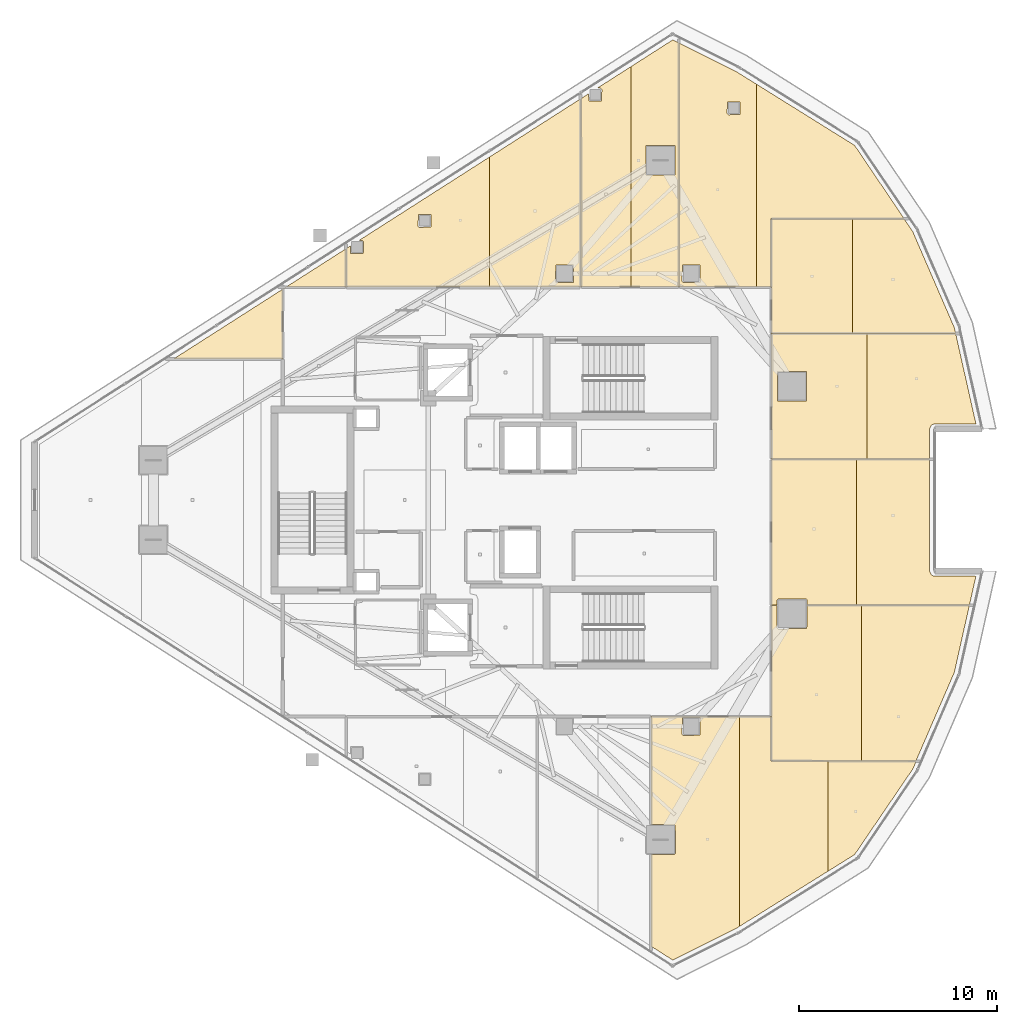
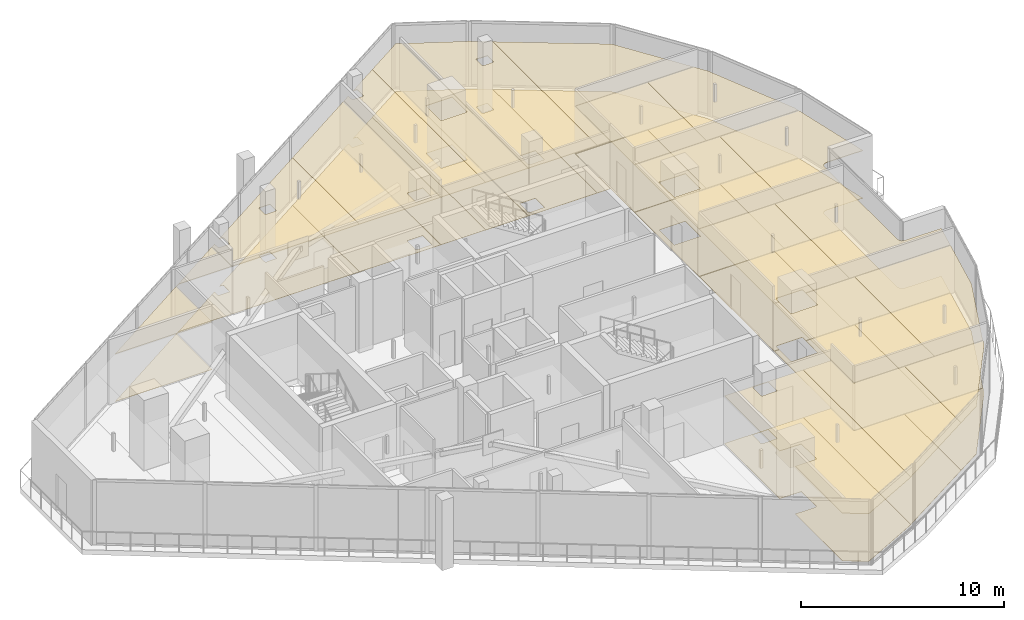
# One storey, part 30 of 30: 36 coverings.
"""IFC4 building model written with IfcOpenShell, lengths in metres."""

import ifcopenshell
import ifcopenshell.guid

model = None  # the IFC model being written
_history = None  # IfcOwnerHistory: only IFC2X3 demands one
_inside = {}  # id of a spatial element -> (the spatial element, [elements in it])
_under = {}  # id of a project, library or spatial element -> (it, [spatial elements below it])
_declared = {}  # id of a project -> (the project, [libraries it declares])
_typed = {}  # id of a type object -> (the type object, [elements of that type])
_made_of = {}  # id of a material, layer set ... -> (it, [elements and type objects made of it])


def new_model(schema):
    """Start an empty IFC model of exactly this schema.

    Asked for "IFC4X3", IfcOpenShell would pick the latest addendum, in which some entities
    have other attributes; the version numbers below select the first issue.
    IFC2X3 requires an IfcOwnerHistory on every rooted entity: one is made here for all.
    """
    global model, _history
    if schema == "IFC4X3":
        model = ifcopenshell.file(schema_version=(4, 3, 0, 0))
    else:
        model = ifcopenshell.file(schema=schema)
    _inside.clear()
    _under.clear()
    _declared.clear()
    _typed.clear()
    _made_of.clear()
    _history = None
    if model.schema == "IFC2X3":
        org = make("IfcOrganization", Name="unknown")
        user = make(
            "IfcPersonAndOrganization",
            ThePerson=make("IfcPerson", FamilyName="unknown"),
            TheOrganization=org,
        )
        app = make(
            "IfcApplication",
            ApplicationDeveloper=org,
            Version="unknown",
            ApplicationFullName="unknown",
            ApplicationIdentifier="unknown",
        )
        _history = make(
            "IfcOwnerHistory",
            OwningUser=user,
            OwningApplication=app,
            ChangeAction="ADDED",
            CreationDate=0,
        )
    return model


def make(cls, **values):
    """One entity of the class cls with the attributes given. An attribute that is None is left unset."""
    return model.create_entity(
        cls, **{name: value for name, value in values.items() if value is not None}
    )


def rooted(cls, **values):
    """An entity with a GlobalId (a new one), such as an element, a storey or a relation."""
    return make(cls, GlobalId=ifcopenshell.guid.new(), OwnerHistory=_history, **values)


def si_unit(unit_type, name, prefix=None):
    """IfcSIUnit, for example si_unit("LENGTHUNIT", "METRE", prefix="MILLI")."""
    return make("IfcSIUnit", UnitType=unit_type, Prefix=prefix, Name=name)


def assignment(units):
    """IfcUnitAssignment: the units of a project."""
    return None if units is None else make("IfcUnitAssignment", Units=units)


def point(xyz):
    """IfcCartesianPoint."""
    return None if xyz is None else make("IfcCartesianPoint", Coordinates=xyz)


def direction(xyz):
    """IfcDirection."""
    return None if xyz is None else make("IfcDirection", DirectionRatios=xyz)


def frame(location, z_axis=None, x_axis=None):
    """IfcAxis2Placement3D, a coordinate frame: its origin and axes. An axis left out is left unset."""
    return make(
        "IfcAxis2Placement3D",
        Location=point(location),
        Axis=direction(z_axis),
        RefDirection=direction(x_axis),
    )


def origin():
    """The frame at (0, 0, 0) with its axes left unset."""
    return frame((0.0, 0.0, 0.0))


def place(relative_to, where):
    """IfcLocalPlacement: puts the frame where relative to a parent placement (None: the world)."""
    return make(
        "IfcLocalPlacement", PlacementRelTo=relative_to, RelativePlacement=where
    )


def context(
    kind, dimensions, precision=None, world=None, true_north=None, identifier=None
):
    """IfcGeometricRepresentationContext, for example the 3D "Model" context."""
    return make(
        "IfcGeometricRepresentationContext",
        ContextIdentifier=identifier,
        ContextType=kind,
        CoordinateSpaceDimension=dimensions,
        Precision=precision,
        WorldCoordinateSystem=world,
        TrueNorth=true_north,
    )


def subcontext(parent, identifier, kind, view, scale=None):
    """IfcGeometricRepresentationSubContext, for example "Body" below "Model"."""
    return make(
        "IfcGeometricRepresentationSubContext",
        ContextIdentifier=identifier,
        ContextType=kind,
        ParentContext=parent,
        TargetScale=scale,
        TargetView=view,
    )


def project(units=None, contexts=None):
    """IfcProject with its units and contexts."""
    return rooted(
        "IfcProject",
        Name="project",
        RepresentationContexts=contexts,
        UnitsInContext=assignment(units),
    )


def spatial(cls, under=None, at=None, **own):
    """A site, building, storey or space (cls), placed at a placement, below another one or the project."""
    s = rooted(cls, ObjectPlacement=at, **own)
    if under is not None:
        _under.setdefault(under.id(), (under, []))[1].append(s)
    return s


def polyline(points):
    """IfcPolyline through the points."""
    return make("IfcPolyline", Points=[point(p) for p in points])


def outline(outer, holes=None, kind="AREA"):
    """IfcArbitraryClosedProfileDef: a profile drawn as a closed curve; with holes, ...WithVoids."""
    if holes is None:
        return make("IfcArbitraryClosedProfileDef", ProfileType=kind, OuterCurve=outer)
    return make(
        "IfcArbitraryProfileDefWithVoids",
        ProfileType=kind,
        OuterCurve=outer,
        InnerCurves=holes,
    )


def extrude(swept, where, along, depth):
    """IfcExtrudedAreaSolid: the profile swept, set in the frame where, extruded along a direction by depth."""
    return make(
        "IfcExtrudedAreaSolid",
        SweptArea=swept,
        Position=where,
        ExtrudedDirection=direction(along),
        Depth=depth,
    )


def shape(context_of_items, identifier, shape_type, items):
    """IfcShapeRepresentation: the items that make up one representation, for example the "Body"."""
    return make(
        "IfcShapeRepresentation",
        ContextOfItems=context_of_items,
        RepresentationIdentifier=identifier,
        RepresentationType=shape_type,
        Items=items,
    )


def material(Name=None, Category=None):
    """IfcMaterial."""
    return make("IfcMaterial", Name=Name, Category=Category)


def layer(
    of_material, thickness, ventilated=None, Name=None, Category=None, Priority=None
):
    """IfcMaterialLayer: one layer of a wall or slab, of a material (None: an air gap)."""
    return make(
        "IfcMaterialLayer",
        Material=of_material,
        LayerThickness=thickness,
        IsVentilated=ventilated,
        Name=Name,
        Category=Category,
        Priority=Priority,
    )


def layer_set(layers, Name=None):
    """IfcMaterialLayerSet."""
    return make("IfcMaterialLayerSet", MaterialLayers=layers, LayerSetName=Name)


def made_of(thing, what):
    """Note that an element or type object is made of a material, layer set ...; save() writes the relation."""
    if what is not None:
        _made_of.setdefault(what.id(), (what, []))[1].append(thing)
    return thing


def type_object(cls, material=None, **own):
    """A type object (cls), such as IfcWallType, which elements share."""
    return made_of(rooted(cls, **own), material)


def element(
    cls,
    number,
    at=None,
    inside=None,
    cuts=None,
    type_object=None,
    material=None,
    context=None,
    identifier="Body",
    shape_type=None,
    held_by="IfcProductDefinitionShape",
    body=None,
    shapes=None,
    **own,
):
    """One element of the class cls, such as IfcWall. Its Tag is "e" and its number.

    at: its placement. inside: the storey or other place that contains it. cuts: it is an
    opening in that element (IfcRelVoidsElement). A single representation is given by context,
    identifier, shape_type and body (its items); several are given by shapes. held_by: the class
    of the entity that holds the representations. save() writes the other relations.
    """
    e = rooted(cls, Tag="e%d" % number, ObjectPlacement=at, **own)
    if body is not None:
        shapes = [shape(context, identifier, shape_type, body)]
    if shapes is not None:
        e.Representation = make(held_by, Representations=shapes)
    if inside is not None:
        _inside.setdefault(inside.id(), (inside, []))[1].append(e)
    if cuts is not None:
        rooted(
            "IfcRelVoidsElement", RelatingBuildingElement=cuts, RelatedOpeningElement=e
        )
    if type_object is not None:
        _typed.setdefault(type_object.id(), (type_object, []))[1].append(e)
    return made_of(e, material)


def aggregate(whole, parts):
    """IfcRelAggregates: a whole, such as a stair, and the parts it consists of."""
    return rooted("IfcRelAggregates", RelatingObject=whole, RelatedObjects=parts)


def save(model, path):
    """Write the relations noted so far, then the file.

    IfcRelAggregates (storeys below a building ...), IfcRelContainedInSpatialStructure (elements
    in a storey), IfcRelDefinesByType, IfcRelAssociatesMaterial and IfcRelDeclares: one each for
    every whole, place, type object, material and project.
    """
    for whole, parts in _under.values():
        aggregate(whole, parts)
    for where, things in _inside.values():
        rooted(
            "IfcRelContainedInSpatialStructure",
            RelatedElements=things,
            RelatingStructure=where,
        )
    for kind, things in _typed.values():
        rooted("IfcRelDefinesByType", RelatedObjects=things, RelatingType=kind)
    for what, things in _made_of.values():
        rooted("IfcRelAssociatesMaterial", RelatedObjects=things, RelatingMaterial=what)
    for by, libraries in _declared.values():
        rooted("IfcRelDeclares", RelatingContext=by, RelatedDefinitions=libraries)
    model.write(path)


model = new_model("IFC4")

# Units and contexts
model_context = context("Model", 3, precision=1e-05, world=origin(), true_north=direction((0.0, 1.0)))
body_context = subcontext(model_context, "Body", "Model", "MODEL_VIEW")
ifc_project = project(units=[si_unit("LENGTHUNIT", "METRE"), si_unit("AREAUNIT", "SQUARE_METRE"), si_unit("VOLUMEUNIT", "CUBIC_METRE"), si_unit("PLANEANGLEUNIT", "RADIAN"), si_unit("MASSUNIT", "GRAM", prefix="KILO")], contexts=[model_context])

# Site, building, storey
site_placement = place(None, origin())
site = spatial("IfcSite", under=ifc_project, at=site_placement, CompositionType="ELEMENT")
building_placement = place(site_placement, origin())
building = spatial("IfcBuilding", under=site, at=building_placement, Name="Qorvath Tower", CompositionType="ELEMENT")
storey_placement = place(building_placement, frame((0.0, 0.0, 289.199951171875)))
storey = spatial("IfcBuildingStorey", under=building, at=storey_placement, Name="L67", CompositionType="ELEMENT", Elevation=289.199951171875)

# Coverings
ifc_material_1 = material(Name="Acoustic mineral fibre ceiling tile", Category="gypsum")
ifc_layer_1 = layer(ifc_material_1, 0.030029296875)
ifc_layer_set_1 = layer_set([ifc_layer_1], Name="COV-CEIL")
covering_type_1 = type_object("IfcCoveringType", Name="COV-CEIL", PredefinedType="CEILING", material=ifc_layer_set_1)
covering_1_placement = place(storey_placement, frame((0.0, 0.0, 2.85009765625)))
element("IfcCovering", 1, at=covering_1_placement, inside=storey, type_object=covering_type_1, Name="L67 Suspended Acoustic Ceiling 013", PredefinedType="CEILING", context=body_context, shape_type="SweptSolid", body=[
    extrude(outline(polyline([(-27.404296875, 10.762939453125), (-27.404296875, 17.3447265625), (-34.00244140625, 13.12744140625), (-33.8291015625, 13.12744140625), (-33.769287109375, 13.0673828125), (-33.786865234375, 12.47509765625), (-34.421630859375, 12.47509765625), (-34.439208984375, 12.848388671875), (-34.64501953125, 12.716796875), (-34.64501953125, 10.762939453125), (-27.404296875, 10.762939453125)]), holes=[polyline([(-31.01220703125, 13.849365234375), (-30.99462890625, 14.441650390625), (-30.35986328125, 14.441650390625), (-30.35986328125, 13.806884765625), (-30.9521484375, 13.789306640625), (-31.01220703125, 13.849365234375)])]), origin(), (0.0, 0.0, 1.0), 0.030029296875),
])
covering_2_placement = place(storey_placement, frame((0.0, 0.0, 2.85009765625)))
element("IfcCovering", 2, at=covering_2_placement, inside=storey, type_object=covering_type_1, Name="L67 Suspended Acoustic Ceiling 014", PredefinedType="CEILING", context=body_context, shape_type="SweptSolid", body=[
    extrude(outline(polyline([(-22.791015625, 10.762939453125), (-22.794189453125, 20.291259765625), (-27.404296875, 17.3447265625), (-27.404296875, 10.762939453125), (-22.791015625, 10.762939453125)]), holes=[polyline([(-24.06005859375, 11.050048828125), (-24.04248046875, 11.892333984375), (-23.157470703125, 11.892333984375), (-23.157470703125, 11.007568359375), (-24.0, 10.989990234375), (-24.06005859375, 11.050048828125)])]), origin(), (0.0, 0.0, 1.0), 0.030029296875),
])
covering_3_placement = place(storey_placement, frame((0.0, 0.0, 2.85009765625)))
element("IfcCovering", 3, at=covering_3_placement, inside=storey, type_object=covering_type_1, Name="L67 Suspended Acoustic Ceiling 015", PredefinedType="CEILING", context=body_context, shape_type="SweptSolid", body=[
    extrude(outline(polyline([(-20.230712890625, 10.762939453125), (-20.230712890625, 21.929443359375), (-21.950927734375, 20.829833984375), (-21.7783203125, 20.829833984375), (-21.71826171875, 20.77001953125), (-21.73583984375, 20.177490234375), (-22.37060546875, 20.177490234375), (-22.38818359375, 20.550537109375), (-22.776123046875, 20.302490234375), (-22.77294921875, 10.762939453125), (-20.230712890625, 10.762939453125)])), origin(), (0.0, 0.0, 1.0), 0.030029296875),
])
covering_4_placement = place(storey_placement, frame((0.0, 0.0, 2.85009765625)))
element("IfcCovering", 4, at=covering_4_placement, inside=storey, type_object=covering_type_1, Name="L67 Suspended Acoustic Ceiling 016", PredefinedType="CEILING", context=body_context, shape_type="SweptSolid", body=[
    extrude(outline(polyline([(-17.822509765625, 23.11865234375), (-18.129638671875, 23.272216796875), (-20.230712890625, 21.929443359375), (-20.230712890625, 10.762939453125), (-17.822509765625, 10.762939453125), (-17.822509765625, 23.11865234375)]), holes=[polyline([(-19.492919921875, 16.43310546875), (-19.492919921875, 17.91796875), (-18.008056640625, 17.91796875), (-18.008056640625, 16.43310546875), (-19.492919921875, 16.43310546875)])]), origin(), (0.0, 0.0, 1.0), 0.030029296875),
])
covering_5_placement = place(storey_placement, frame((0.0, 0.0, 2.85009765625)))
element("IfcCovering", 5, at=covering_5_placement, inside=storey, type_object=covering_type_1, Name="L67 Suspended Acoustic Ceiling 017", PredefinedType="CEILING", context=body_context, shape_type="SweptSolid", body=[
    extrude(outline(polyline([(-13.897216796875, 10.762939453125), (-13.897216796875, 21.031982421875), (-14.903564453125, 21.6591796875), (-17.804443359375, 23.109619140625), (-17.804443359375, 10.762939453125), (-13.897216796875, 10.762939453125)]), holes=[polyline([(-15.381103515625, 19.543212890625), (-15.363525390625, 20.135498046875), (-14.728759765625, 20.135498046875), (-14.728759765625, 19.500732421875), (-15.321044921875, 19.483154296875), (-15.381103515625, 19.543212890625)]), polyline([(-17.659912109375, 11.050048828125), (-17.642333984375, 11.892333984375), (-16.757568359375, 11.892333984375), (-16.757568359375, 11.007568359375), (-17.60009765625, 10.989990234375), (-17.659912109375, 11.050048828125)])]), origin(), (0.0, 0.0, 1.0), 0.030029296875),
])
covering_6_placement = place(storey_placement, frame((0.0, 0.0, 2.85009765625)))
element("IfcCovering", 6, at=covering_6_placement, inside=storey, type_object=covering_type_1, Name="L67 Suspended Acoustic Ceiling 018", PredefinedType="CEILING", context=body_context, shape_type="SweptSolid", body=[
    extrude(outline(polyline([(-6.432861328125, 14.24072265625), (-8.930419921875, 17.93505859375), (-13.897216796875, 21.031982421875), (-13.897216796875, 10.762939453125), (-13.155029296875, 10.762939453125), (-13.14990234375, 14.22998046875), (-6.432861328125, 14.24072265625)])), origin(), (0.0, 0.0, 1.0), 0.030029296875),
])
covering_7_placement = place(storey_placement, frame((0.0, 0.0, 2.85009765625)))
element("IfcCovering", 7, at=covering_7_placement, inside=storey, type_object=covering_type_1, Name="L67 Suspended Acoustic Ceiling 023", PredefinedType="CEILING", context=body_context, shape_type="SweptSolid", body=[
    extrude(outline(polyline([(-14.7529296875, -21.5654296875), (-14.7529296875, -10.962890625), (-19.219482421875, -10.962890625), (-19.219482421875, -16.41552734375), (-18.008056640625, -16.43310546875), (-17.990478515625, -17.87548828125), (-18.050537109375, -17.935546875), (-19.219482421875, -17.935546875), (-19.219482421875, -22.57568359375), (-18.129638671875, -23.272216796875), (-14.903564453125, -21.6591796875), (-14.7529296875, -21.5654296875)]), holes=[polyline([(-17.659912109375, -11.85009765625), (-17.642333984375, -11.007568359375), (-16.757568359375, -11.007568359375), (-16.757568359375, -11.892333984375), (-17.60009765625, -11.909912109375), (-17.659912109375, -11.85009765625)])]), origin(), (0.0, 0.0, 1.0), 0.030029296875),
])
covering_8_placement = place(storey_placement, frame((0.0, 0.0, 2.85009765625)))
element("IfcCovering", 8, at=covering_8_placement, inside=storey, type_object=covering_type_1, Name="L67 Suspended Acoustic Ceiling 024", PredefinedType="CEILING", context=body_context, shape_type="SweptSolid", body=[
    extrude(outline(polyline([(-13.155029296875, -10.962890625), (-14.7529296875, -10.962890625), (-14.7529296875, -21.5654296875), (-10.28662109375, -18.781005859375), (-10.28662109375, -13.20703125), (-13.14990234375, -13.2021484375), (-13.155029296875, -10.962890625)])), origin(), (0.0, 0.0, 1.0), 0.030029296875),
])
covering_9_placement = place(storey_placement, frame((0.0, 0.0, 2.85009765625)))
element("IfcCovering", 9, at=covering_9_placement, inside=storey, type_object=covering_type_1, Name="L67 Suspended Acoustic Ceiling 025", PredefinedType="CEILING", context=body_context, shape_type="SweptSolid", body=[
    extrude(outline(polyline([(-10.28662109375, -13.20703125), (-10.28662109375, -18.781005859375), (-8.931884765625, -17.9365234375), (-5.974609375, -13.58544921875), (-5.820068359375, -13.214599609375), (-10.28662109375, -13.20703125)])), origin(), (0.0, 0.0, 1.0), 0.030029296875),
])
covering_10_placement = place(storey_placement, frame((0.0, 0.0, 2.85009765625)))
element("IfcCovering", 10, at=covering_10_placement, inside=storey, type_object=covering_type_1, Name="L67 Suspended Acoustic Ceiling 026", PredefinedType="CEILING", context=body_context, shape_type="SweptSolid", body=[
    extrude(outline(polyline([(-13.136962890625, -5.339111328125), (-13.136962890625, -13.18408203125), (-8.580078125, -13.19189453125), (-8.580078125, -5.339111328125), (-11.3369140625, -5.339111328125), (-11.3544921875, -6.500244140625), (-12.796875, -6.517822265625), (-12.856689453125, -6.4580078125), (-12.856689453125, -5.339111328125), (-13.136962890625, -5.339111328125)])), origin(), (0.0, 0.0, 1.0), 0.030029296875),
])
covering_11_placement = place(storey_placement, frame((0.0, 0.0, 2.85009765625)))
element("IfcCovering", 11, at=covering_11_placement, inside=storey, type_object=covering_type_1, Name="L67 Suspended Acoustic Ceiling 027", PredefinedType="CEILING", context=body_context, shape_type="SweptSolid", body=[
    extrude(outline(polyline([(-8.580078125, -5.339111328125), (-8.580078125, -13.19189453125), (-5.82763671875, -13.196533203125), (-3.890380859375, -8.725341796875), (-3.129638671875, -5.339111328125), (-8.580078125, -5.339111328125)])), origin(), (0.0, 0.0, 1.0), 0.030029296875),
])
covering_12_placement = place(storey_placement, frame((0.0, 0.0, 2.85009765625)))
element("IfcCovering", 12, at=covering_12_placement, inside=storey, type_object=covering_type_1, Name="L67 Suspended Acoustic Ceiling 028", PredefinedType="CEILING", context=body_context, shape_type="SweptSolid", body=[
    extrude(outline(polyline([(-8.84814453125, -5.321044921875), (-8.84814453125, 2.051025390625), (-13.136962890625, 2.051025390625), (-13.136962890625, -5.321044921875), (-12.856689453125, -5.321044921875), (-12.856689453125, -5.057861328125), (-12.796875, -4.997802734375), (-11.396728515625, -4.997802734375), (-11.3369140625, -5.057861328125), (-11.3369140625, -5.321044921875), (-8.84814453125, -5.321044921875)])), origin(), (0.0, 0.0, 1.0), 0.030029296875),
])
covering_13_placement = place(storey_placement, frame((0.0, 0.0, 2.85009765625)))
element("IfcCovering", 13, at=covering_13_placement, inside=storey, type_object=covering_type_1, Name="L67 Suspended Acoustic Ceiling 029", PredefinedType="CEILING", context=body_context, shape_type="SweptSolid", body=[
    extrude(outline(polyline([(-5.0419921875, -3.79736328125), (-5.1328125, -3.626220703125), (-5.134033203125, 2.051025390625), (-8.84814453125, 2.051025390625), (-8.84814453125, -5.321044921875), (-3.12548828125, -5.321044921875), (-2.796630859375, -3.856689453125), (-4.903564453125, -3.855712890625), (-5.0419921875, -3.79736328125)])), origin(), (0.0, 0.0, 1.0), 0.030029296875),
])
covering_14_placement = place(storey_placement, frame((0.0, 0.0, 2.85009765625)))
element("IfcCovering", 14, at=covering_14_placement, inside=storey, type_object=covering_type_1, Name="L67 Suspended Acoustic Ceiling 030", PredefinedType="CEILING", context=body_context, shape_type="SweptSolid", body=[
    extrude(outline(polyline([(-8.297607421875, 2.06884765625), (-8.297607421875, 8.4130859375), (-13.136962890625, 8.4130859375), (-13.136962890625, 2.06884765625), (-8.297607421875, 2.06884765625)]), holes=[polyline([(-12.839111328125, 5.015380859375), (-12.839111328125, 6.500244140625), (-11.3544921875, 6.500244140625), (-11.3544921875, 5.015380859375), (-12.839111328125, 5.015380859375)])]), origin(), (0.0, 0.0, 1.0), 0.030029296875),
])
covering_15_placement = place(storey_placement, frame((0.0, 0.0, 2.85009765625)))
element("IfcCovering", 15, at=covering_15_placement, inside=storey, type_object=covering_type_1, Name="L67 Suspended Acoustic Ceiling 031", PredefinedType="CEILING", context=body_context, shape_type="SweptSolid", body=[
    extrude(outline(polyline([(-5.039306640625, 3.7998046875), (-4.879150390625, 3.856689453125), (-2.796630859375, 3.856689453125), (-3.820068359375, 8.4130859375), (-8.297607421875, 8.4130859375), (-8.297607421875, 2.06884765625), (-5.134033203125, 2.06884765625), (-5.1328125, 3.626220703125), (-5.039306640625, 3.7998046875)])), origin(), (0.0, 0.0, 1.0), 0.030029296875),
])
covering_16_placement = place(storey_placement, frame((0.0, 0.0, 2.85009765625)))
element("IfcCovering", 16, at=covering_16_placement, inside=storey, type_object=covering_type_1, Name="L67 Suspended Acoustic Ceiling 032", PredefinedType="CEILING", context=body_context, shape_type="SweptSolid", body=[
    extrude(outline(polyline([(-13.136962890625, 8.430908203125), (-9.047607421875, 8.430908203125), (-9.047607421875, 14.218505859375), (-13.136962890625, 14.212158203125), (-13.136962890625, 8.430908203125)])), origin(), (0.0, 0.0, 1.0), 0.030029296875),
])
covering_17_placement = place(storey_placement, frame((0.0, 0.0, 2.85009765625)))
element("IfcCovering", 17, at=covering_17_placement, inside=storey, type_object=covering_type_1, Name="L67 Suspended Acoustic Ceiling 033", PredefinedType="CEILING", context=body_context, shape_type="SweptSolid", body=[
    extrude(outline(polyline([(-9.047607421875, 14.218505859375), (-9.047607421875, 8.430908203125), (-3.82421875, 8.430908203125), (-3.890380859375, 8.725341796875), (-5.9912109375, 13.573974609375), (-6.431884765625, 14.22265625), (-9.047607421875, 14.218505859375)])), origin(), (0.0, 0.0, 1.0), 0.030029296875),
])
covering_18_placement = place(storey_placement, frame((0.0, 0.0, 2.85009765625)))
element("IfcCovering", 18, at=covering_18_placement, inside=storey, type_object=covering_type_1, Name="L67 Suspended Acoustic Ceiling 037", PredefinedType="CEILING", context=body_context, shape_type="SweptSolid", body=[
    extrude(outline(polyline([(-34.6630859375, 10.762939453125), (-34.6630859375, 12.705322265625), (-43.374267578125, 7.1376953125), (-37.863037109375, 7.139892578125), (-37.863037109375, 10.64306640625), (-37.67822265625, 10.762939453125), (-34.6630859375, 10.762939453125)])), origin(), (0.0, 0.0, 1.0), 0.030029296875),
])
ifc_material_2 = material(Name="Low-VOC modular carpet tile", Category="textile")
ifc_layer_2 = layer(ifc_material_2, 0.014892578125)
ifc_layer_set_2 = layer_set([ifc_layer_2], Name="COV-FLOOR-CPT")
covering_type_2 = type_object("IfcCoveringType", Name="COV-FLOOR-CPT", PredefinedType="FLOORING", material=ifc_layer_set_2)
covering_19_placement = place(storey_placement, origin())
element("IfcCovering", 19, at=covering_19_placement, inside=storey, type_object=covering_type_2, Name="L67 Floor Finish 013", PredefinedType="FLOORING", context=body_context, shape_type="SweptSolid", body=[
    extrude(outline(polyline([(-27.404296875, 10.762939453125), (-27.404296875, 17.3447265625), (-34.00244140625, 13.12744140625), (-33.8291015625, 13.12744140625), (-33.769287109375, 13.0673828125), (-33.786865234375, 12.47509765625), (-34.421630859375, 12.47509765625), (-34.439208984375, 12.848388671875), (-34.64501953125, 12.716796875), (-34.64501953125, 10.762939453125), (-27.404296875, 10.762939453125)]), holes=[polyline([(-31.01220703125, 13.849365234375), (-30.99462890625, 14.441650390625), (-30.35986328125, 14.441650390625), (-30.35986328125, 13.806884765625), (-30.9521484375, 13.789306640625), (-31.01220703125, 13.849365234375)])]), origin(), (0.0, 0.0, 1.0), 0.01513671875),
])
covering_20_placement = place(storey_placement, origin())
element("IfcCovering", 20, at=covering_20_placement, inside=storey, type_object=covering_type_2, Name="L67 Floor Finish 014", PredefinedType="FLOORING", context=body_context, shape_type="SweptSolid", body=[
    extrude(outline(polyline([(-22.791015625, 10.762939453125), (-22.794189453125, 20.291259765625), (-27.404296875, 17.3447265625), (-27.404296875, 10.762939453125), (-22.791015625, 10.762939453125)]), holes=[polyline([(-24.06005859375, 11.050048828125), (-24.04248046875, 11.892333984375), (-23.157470703125, 11.892333984375), (-23.157470703125, 11.007568359375), (-24.0, 10.989990234375), (-24.06005859375, 11.050048828125)])]), origin(), (0.0, 0.0, 1.0), 0.01513671875),
])
covering_21_placement = place(storey_placement, origin())
element("IfcCovering", 21, at=covering_21_placement, inside=storey, type_object=covering_type_2, Name="L67 Floor Finish 015", PredefinedType="FLOORING", context=body_context, shape_type="SweptSolid", body=[
    extrude(outline(polyline([(-20.230712890625, 10.762939453125), (-20.230712890625, 21.929443359375), (-21.950927734375, 20.829833984375), (-21.7783203125, 20.829833984375), (-21.71826171875, 20.77001953125), (-21.73583984375, 20.177490234375), (-22.37060546875, 20.177490234375), (-22.38818359375, 20.550537109375), (-22.776123046875, 20.302490234375), (-22.77294921875, 10.762939453125), (-20.230712890625, 10.762939453125)])), origin(), (0.0, 0.0, 1.0), 0.01513671875),
])
covering_22_placement = place(storey_placement, origin())
element("IfcCovering", 22, at=covering_22_placement, inside=storey, type_object=covering_type_2, Name="L67 Floor Finish 016", PredefinedType="FLOORING", context=body_context, shape_type="SweptSolid", body=[
    extrude(outline(polyline([(-17.822509765625, 23.11865234375), (-18.129638671875, 23.272216796875), (-20.230712890625, 21.929443359375), (-20.230712890625, 10.762939453125), (-17.822509765625, 10.762939453125), (-17.822509765625, 23.11865234375)]), holes=[polyline([(-19.492919921875, 16.43310546875), (-19.492919921875, 17.91796875), (-18.008056640625, 17.91796875), (-18.008056640625, 16.43310546875), (-19.492919921875, 16.43310546875)])]), origin(), (0.0, 0.0, 1.0), 0.01513671875),
])
covering_23_placement = place(storey_placement, origin())
element("IfcCovering", 23, at=covering_23_placement, inside=storey, type_object=covering_type_2, Name="L67 Floor Finish 017", PredefinedType="FLOORING", context=body_context, shape_type="SweptSolid", body=[
    extrude(outline(polyline([(-13.897216796875, 10.762939453125), (-13.897216796875, 21.031982421875), (-14.903564453125, 21.6591796875), (-17.804443359375, 23.109619140625), (-17.804443359375, 10.762939453125), (-13.897216796875, 10.762939453125)]), holes=[polyline([(-15.381103515625, 19.543212890625), (-15.363525390625, 20.135498046875), (-14.728759765625, 20.135498046875), (-14.728759765625, 19.500732421875), (-15.321044921875, 19.483154296875), (-15.381103515625, 19.543212890625)]), polyline([(-17.659912109375, 11.050048828125), (-17.642333984375, 11.892333984375), (-16.757568359375, 11.892333984375), (-16.757568359375, 11.007568359375), (-17.60009765625, 10.989990234375), (-17.659912109375, 11.050048828125)])]), origin(), (0.0, 0.0, 1.0), 0.01513671875),
])
covering_24_placement = place(storey_placement, origin())
element("IfcCovering", 24, at=covering_24_placement, inside=storey, type_object=covering_type_2, Name="L67 Floor Finish 018", PredefinedType="FLOORING", context=body_context, shape_type="SweptSolid", body=[
    extrude(outline(polyline([(-6.432861328125, 14.24072265625), (-8.930419921875, 17.93505859375), (-13.897216796875, 21.031982421875), (-13.897216796875, 10.762939453125), (-13.155029296875, 10.762939453125), (-13.14990234375, 14.22998046875), (-6.432861328125, 14.24072265625)])), origin(), (0.0, 0.0, 1.0), 0.01513671875),
])
covering_25_placement = place(storey_placement, origin())
element("IfcCovering", 25, at=covering_25_placement, inside=storey, type_object=covering_type_2, Name="L67 Floor Finish 023", PredefinedType="FLOORING", context=body_context, shape_type="SweptSolid", body=[
    extrude(outline(polyline([(-14.7529296875, -21.5654296875), (-14.7529296875, -10.962890625), (-19.219482421875, -10.962890625), (-19.219482421875, -16.41552734375), (-18.008056640625, -16.43310546875), (-17.990478515625, -17.87548828125), (-18.050537109375, -17.935546875), (-19.219482421875, -17.935546875), (-19.219482421875, -22.57568359375), (-18.129638671875, -23.272216796875), (-14.903564453125, -21.6591796875), (-14.7529296875, -21.5654296875)]), holes=[polyline([(-17.659912109375, -11.85009765625), (-17.642333984375, -11.007568359375), (-16.757568359375, -11.007568359375), (-16.757568359375, -11.892333984375), (-17.60009765625, -11.909912109375), (-17.659912109375, -11.85009765625)])]), origin(), (0.0, 0.0, 1.0), 0.01513671875),
])
covering_26_placement = place(storey_placement, origin())
element("IfcCovering", 26, at=covering_26_placement, inside=storey, type_object=covering_type_2, Name="L67 Floor Finish 024", PredefinedType="FLOORING", context=body_context, shape_type="SweptSolid", body=[
    extrude(outline(polyline([(-13.155029296875, -10.962890625), (-14.7529296875, -10.962890625), (-14.7529296875, -21.5654296875), (-10.28662109375, -18.781005859375), (-10.28662109375, -13.20703125), (-13.14990234375, -13.2021484375), (-13.155029296875, -10.962890625)])), origin(), (0.0, 0.0, 1.0), 0.01513671875),
])
covering_27_placement = place(storey_placement, origin())
element("IfcCovering", 27, at=covering_27_placement, inside=storey, type_object=covering_type_2, Name="L67 Floor Finish 025", PredefinedType="FLOORING", context=body_context, shape_type="SweptSolid", body=[
    extrude(outline(polyline([(-10.28662109375, -13.20703125), (-10.28662109375, -18.781005859375), (-8.931884765625, -17.9365234375), (-5.974609375, -13.58544921875), (-5.820068359375, -13.214599609375), (-10.28662109375, -13.20703125)])), origin(), (0.0, 0.0, 1.0), 0.01513671875),
])
covering_28_placement = place(storey_placement, origin())
element("IfcCovering", 28, at=covering_28_placement, inside=storey, type_object=covering_type_2, Name="L67 Floor Finish 026", PredefinedType="FLOORING", context=body_context, shape_type="SweptSolid", body=[
    extrude(outline(polyline([(-13.136962890625, -5.339111328125), (-13.136962890625, -13.18408203125), (-8.580078125, -13.19189453125), (-8.580078125, -5.339111328125), (-11.3369140625, -5.339111328125), (-11.3544921875, -6.500244140625), (-12.796875, -6.517822265625), (-12.856689453125, -6.4580078125), (-12.856689453125, -5.339111328125), (-13.136962890625, -5.339111328125)])), origin(), (0.0, 0.0, 1.0), 0.01513671875),
])
covering_29_placement = place(storey_placement, origin())
element("IfcCovering", 29, at=covering_29_placement, inside=storey, type_object=covering_type_2, Name="L67 Floor Finish 027", PredefinedType="FLOORING", context=body_context, shape_type="SweptSolid", body=[
    extrude(outline(polyline([(-8.580078125, -5.339111328125), (-8.580078125, -13.19189453125), (-5.82763671875, -13.196533203125), (-3.890380859375, -8.725341796875), (-3.129638671875, -5.339111328125), (-8.580078125, -5.339111328125)])), origin(), (0.0, 0.0, 1.0), 0.01513671875),
])
covering_30_placement = place(storey_placement, origin())
element("IfcCovering", 30, at=covering_30_placement, inside=storey, type_object=covering_type_2, Name="L67 Floor Finish 028", PredefinedType="FLOORING", context=body_context, shape_type="SweptSolid", body=[
    extrude(outline(polyline([(-8.84814453125, -5.321044921875), (-8.84814453125, 2.051025390625), (-13.136962890625, 2.051025390625), (-13.136962890625, -5.321044921875), (-12.856689453125, -5.321044921875), (-12.856689453125, -5.057861328125), (-12.796875, -4.997802734375), (-11.396728515625, -4.997802734375), (-11.3369140625, -5.057861328125), (-11.3369140625, -5.321044921875), (-8.84814453125, -5.321044921875)])), origin(), (0.0, 0.0, 1.0), 0.01513671875),
])
covering_31_placement = place(storey_placement, origin())
element("IfcCovering", 31, at=covering_31_placement, inside=storey, type_object=covering_type_2, Name="L67 Floor Finish 029", PredefinedType="FLOORING", context=body_context, shape_type="SweptSolid", body=[
    extrude(outline(polyline([(-5.0419921875, -3.79736328125), (-5.1328125, -3.626220703125), (-5.134033203125, 2.051025390625), (-8.84814453125, 2.051025390625), (-8.84814453125, -5.321044921875), (-3.12548828125, -5.321044921875), (-2.796630859375, -3.856689453125), (-4.903564453125, -3.855712890625), (-5.0419921875, -3.79736328125)])), origin(), (0.0, 0.0, 1.0), 0.01513671875),
])
covering_32_placement = place(storey_placement, origin())
element("IfcCovering", 32, at=covering_32_placement, inside=storey, type_object=covering_type_2, Name="L67 Floor Finish 030", PredefinedType="FLOORING", context=body_context, shape_type="SweptSolid", body=[
    extrude(outline(polyline([(-8.297607421875, 2.06884765625), (-8.297607421875, 8.4130859375), (-13.136962890625, 8.4130859375), (-13.136962890625, 2.06884765625), (-8.297607421875, 2.06884765625)]), holes=[polyline([(-12.839111328125, 5.015380859375), (-12.839111328125, 6.500244140625), (-11.3544921875, 6.500244140625), (-11.3544921875, 5.015380859375), (-12.839111328125, 5.015380859375)])]), origin(), (0.0, 0.0, 1.0), 0.01513671875),
])
covering_33_placement = place(storey_placement, origin())
element("IfcCovering", 33, at=covering_33_placement, inside=storey, type_object=covering_type_2, Name="L67 Floor Finish 031", PredefinedType="FLOORING", context=body_context, shape_type="SweptSolid", body=[
    extrude(outline(polyline([(-5.039306640625, 3.7998046875), (-4.879150390625, 3.856689453125), (-2.796630859375, 3.856689453125), (-3.820068359375, 8.4130859375), (-8.297607421875, 8.4130859375), (-8.297607421875, 2.06884765625), (-5.134033203125, 2.06884765625), (-5.1328125, 3.626220703125), (-5.039306640625, 3.7998046875)])), origin(), (0.0, 0.0, 1.0), 0.01513671875),
])
covering_34_placement = place(storey_placement, origin())
element("IfcCovering", 34, at=covering_34_placement, inside=storey, type_object=covering_type_2, Name="L67 Floor Finish 032", PredefinedType="FLOORING", context=body_context, shape_type="SweptSolid", body=[
    extrude(outline(polyline([(-13.136962890625, 8.430908203125), (-9.047607421875, 8.430908203125), (-9.047607421875, 14.218505859375), (-13.136962890625, 14.212158203125), (-13.136962890625, 8.430908203125)])), origin(), (0.0, 0.0, 1.0), 0.01513671875),
])
covering_35_placement = place(storey_placement, origin())
element("IfcCovering", 35, at=covering_35_placement, inside=storey, type_object=covering_type_2, Name="L67 Floor Finish 033", PredefinedType="FLOORING", context=body_context, shape_type="SweptSolid", body=[
    extrude(outline(polyline([(-9.047607421875, 14.218505859375), (-9.047607421875, 8.430908203125), (-3.82421875, 8.430908203125), (-3.890380859375, 8.725341796875), (-5.9912109375, 13.573974609375), (-6.431884765625, 14.22265625), (-9.047607421875, 14.218505859375)])), origin(), (0.0, 0.0, 1.0), 0.01513671875),
])
covering_36_placement = place(storey_placement, origin())
element("IfcCovering", 36, at=covering_36_placement, inside=storey, type_object=covering_type_2, Name="L67 Floor Finish 037", PredefinedType="FLOORING", context=body_context, shape_type="SweptSolid", body=[
    extrude(outline(polyline([(-34.6630859375, 10.762939453125), (-34.6630859375, 12.705322265625), (-43.374267578125, 7.1376953125), (-37.863037109375, 7.139892578125), (-37.863037109375, 10.64306640625), (-37.67822265625, 10.762939453125), (-34.6630859375, 10.762939453125)])), origin(), (0.0, 0.0, 1.0), 0.01513671875),
])

save(model, "model.ifc")
